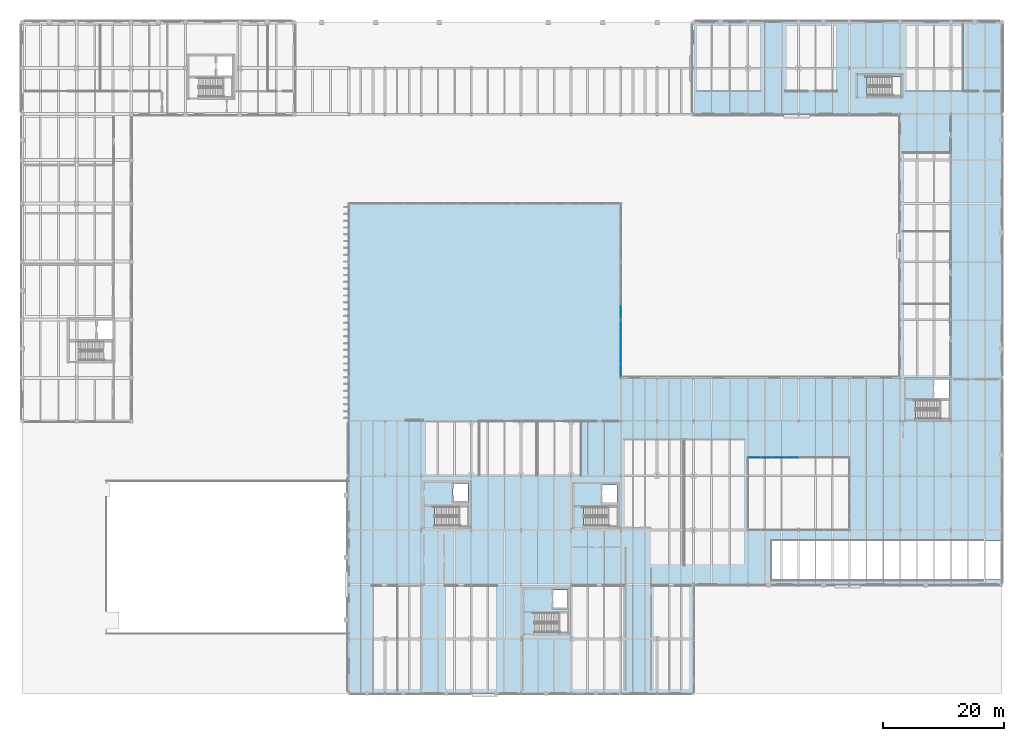
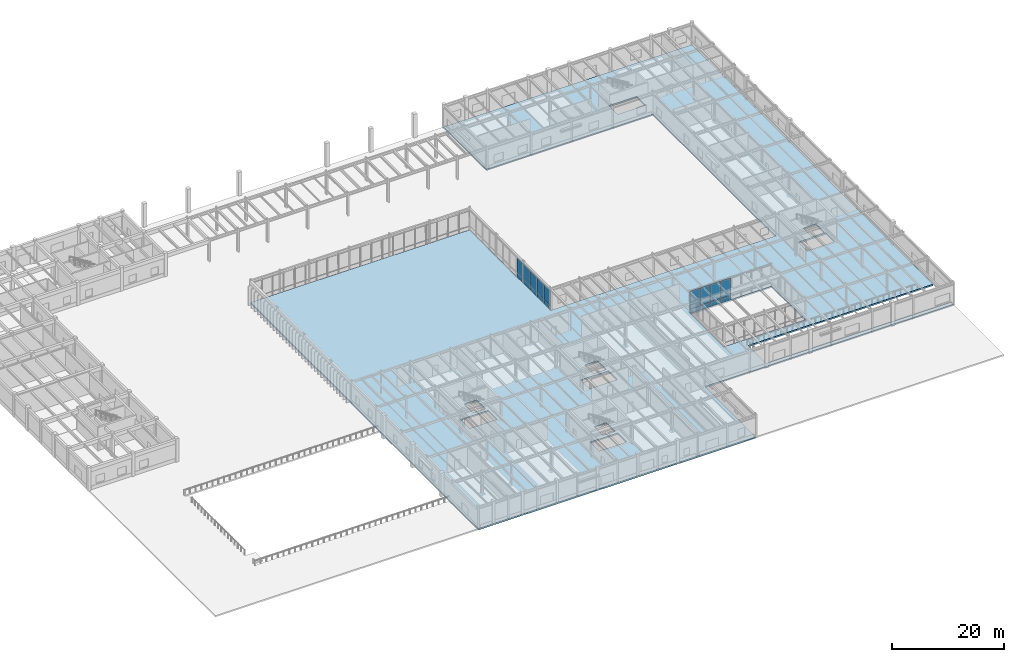
# One storey, part 34 of 64: 18 plates, 1 slab, 9 openings, 3 elements without a shape of their own.
"""IFC4 building model written with IfcOpenShell, lengths in metres."""

import ifcopenshell
import ifcopenshell.guid

model = None  # the IFC model being written
_history = None  # IfcOwnerHistory: only IFC2X3 demands one
_inside = {}  # id of a spatial element -> (the spatial element, [elements in it])
_under = {}  # id of a project, library or spatial element -> (it, [spatial elements below it])
_declared = {}  # id of a project -> (the project, [libraries it declares])
_typed = {}  # id of a type object -> (the type object, [elements of that type])
_made_of = {}  # id of a material, layer set ... -> (it, [elements and type objects made of it])


def new_model(schema):
    """Start an empty IFC model of exactly this schema.

    Asked for "IFC4X3", IfcOpenShell would pick the latest addendum, in which some entities
    have other attributes; the version numbers below select the first issue.
    IFC2X3 requires an IfcOwnerHistory on every rooted entity: one is made here for all.
    """
    global model, _history
    if schema == "IFC4X3":
        model = ifcopenshell.file(schema_version=(4, 3, 0, 0))
    else:
        model = ifcopenshell.file(schema=schema)
    _inside.clear()
    _under.clear()
    _declared.clear()
    _typed.clear()
    _made_of.clear()
    _history = None
    if model.schema == "IFC2X3":
        org = make("IfcOrganization", Name="unknown")
        user = make(
            "IfcPersonAndOrganization",
            ThePerson=make("IfcPerson", FamilyName="unknown"),
            TheOrganization=org,
        )
        app = make(
            "IfcApplication",
            ApplicationDeveloper=org,
            Version="unknown",
            ApplicationFullName="unknown",
            ApplicationIdentifier="unknown",
        )
        _history = make(
            "IfcOwnerHistory",
            OwningUser=user,
            OwningApplication=app,
            ChangeAction="ADDED",
            CreationDate=0,
        )
    return model


def make(cls, **values):
    """One entity of the class cls with the attributes given. An attribute that is None is left unset."""
    return model.create_entity(
        cls, **{name: value for name, value in values.items() if value is not None}
    )


def rooted(cls, **values):
    """An entity with a GlobalId (a new one), such as an element, a storey or a relation."""
    return make(cls, GlobalId=ifcopenshell.guid.new(), OwnerHistory=_history, **values)


def si_unit(unit_type, name, prefix=None):
    """IfcSIUnit, for example si_unit("LENGTHUNIT", "METRE", prefix="MILLI")."""
    return make("IfcSIUnit", UnitType=unit_type, Prefix=prefix, Name=name)


def assignment(units):
    """IfcUnitAssignment: the units of a project."""
    return None if units is None else make("IfcUnitAssignment", Units=units)


def point(xyz):
    """IfcCartesianPoint."""
    return None if xyz is None else make("IfcCartesianPoint", Coordinates=xyz)


def direction(xyz):
    """IfcDirection."""
    return None if xyz is None else make("IfcDirection", DirectionRatios=xyz)


def frame(location, z_axis=None, x_axis=None):
    """IfcAxis2Placement3D, a coordinate frame: its origin and axes. An axis left out is left unset."""
    return make(
        "IfcAxis2Placement3D",
        Location=point(location),
        Axis=direction(z_axis),
        RefDirection=direction(x_axis),
    )


def frame_2d(location, x_axis=None):
    """IfcAxis2Placement2D, a coordinate frame in the plane: its origin and x axis."""
    return make(
        "IfcAxis2Placement2D", Location=point(location), RefDirection=direction(x_axis)
    )


def origin():
    """The frame at (0, 0, 0) with its axes left unset."""
    return frame((0.0, 0.0, 0.0))


def origin_2d():
    """The frame at (0, 0) in the plane with its x axis left unset."""
    return frame_2d((0.0, 0.0))


def place(relative_to, where):
    """IfcLocalPlacement: puts the frame where relative to a parent placement (None: the world)."""
    return make(
        "IfcLocalPlacement", PlacementRelTo=relative_to, RelativePlacement=where
    )


def context(
    kind, dimensions, precision=None, world=None, true_north=None, identifier=None
):
    """IfcGeometricRepresentationContext, for example the 3D "Model" context."""
    return make(
        "IfcGeometricRepresentationContext",
        ContextIdentifier=identifier,
        ContextType=kind,
        CoordinateSpaceDimension=dimensions,
        Precision=precision,
        WorldCoordinateSystem=world,
        TrueNorth=true_north,
    )


def subcontext(parent, identifier, kind, view, scale=None):
    """IfcGeometricRepresentationSubContext, for example "Body" below "Model"."""
    return make(
        "IfcGeometricRepresentationSubContext",
        ContextIdentifier=identifier,
        ContextType=kind,
        ParentContext=parent,
        TargetScale=scale,
        TargetView=view,
    )


def project(units=None, contexts=None):
    """IfcProject with its units and contexts."""
    return rooted(
        "IfcProject",
        Name="project",
        RepresentationContexts=contexts,
        UnitsInContext=assignment(units),
    )


def spatial(cls, under=None, at=None, **own):
    """A site, building, storey or space (cls), placed at a placement, below another one or the project."""
    s = rooted(cls, ObjectPlacement=at, **own)
    if under is not None:
        _under.setdefault(under.id(), (under, []))[1].append(s)
    return s


def polyline(points):
    """IfcPolyline through the points."""
    return make("IfcPolyline", Points=[point(p) for p in points])


def profile(cls, at=None, kind="AREA", **sizes):
    """A parametric profile (cls). Its sizes go by their IFC names, for example OverallWidth=200.0."""
    return make(cls, ProfileType=kind, Position=at, **sizes)


def rectangle(**sizes):
    """IfcRectangleProfileDef."""
    return profile("IfcRectangleProfileDef", **sizes)


def outline(outer, holes=None, kind="AREA"):
    """IfcArbitraryClosedProfileDef: a profile drawn as a closed curve; with holes, ...WithVoids."""
    if holes is None:
        return make("IfcArbitraryClosedProfileDef", ProfileType=kind, OuterCurve=outer)
    return make(
        "IfcArbitraryProfileDefWithVoids",
        ProfileType=kind,
        OuterCurve=outer,
        InnerCurves=holes,
    )


def extrude(swept, where, along, depth):
    """IfcExtrudedAreaSolid: the profile swept, set in the frame where, extruded along a direction by depth."""
    return make(
        "IfcExtrudedAreaSolid",
        SweptArea=swept,
        Position=where,
        ExtrudedDirection=direction(along),
        Depth=depth,
    )


def shape(context_of_items, identifier, shape_type, items):
    """IfcShapeRepresentation: the items that make up one representation, for example the "Body"."""
    return make(
        "IfcShapeRepresentation",
        ContextOfItems=context_of_items,
        RepresentationIdentifier=identifier,
        RepresentationType=shape_type,
        Items=items,
    )


def material(Name=None, Category=None):
    """IfcMaterial."""
    return make("IfcMaterial", Name=Name, Category=Category)


def layer(
    of_material, thickness, ventilated=None, Name=None, Category=None, Priority=None
):
    """IfcMaterialLayer: one layer of a wall or slab, of a material (None: an air gap)."""
    return make(
        "IfcMaterialLayer",
        Material=of_material,
        LayerThickness=thickness,
        IsVentilated=ventilated,
        Name=Name,
        Category=Category,
        Priority=Priority,
    )


def layer_set(layers, Name=None):
    """IfcMaterialLayerSet."""
    return make("IfcMaterialLayerSet", MaterialLayers=layers, LayerSetName=Name)


def made_of(thing, what):
    """Note that an element or type object is made of a material, layer set ...; save() writes the relation."""
    if what is not None:
        _made_of.setdefault(what.id(), (what, []))[1].append(thing)
    return thing


def type_object(cls, material=None, **own):
    """A type object (cls), such as IfcWallType, which elements share."""
    return made_of(rooted(cls, **own), material)


def element(
    cls,
    number,
    at=None,
    inside=None,
    cuts=None,
    type_object=None,
    material=None,
    context=None,
    identifier="Body",
    shape_type=None,
    held_by="IfcProductDefinitionShape",
    body=None,
    shapes=None,
    **own,
):
    """One element of the class cls, such as IfcWall. Its Tag is "e" and its number.

    at: its placement. inside: the storey or other place that contains it. cuts: it is an
    opening in that element (IfcRelVoidsElement). A single representation is given by context,
    identifier, shape_type and body (its items); several are given by shapes. held_by: the class
    of the entity that holds the representations. save() writes the other relations.
    """
    e = rooted(cls, Tag="e%d" % number, ObjectPlacement=at, **own)
    if body is not None:
        shapes = [shape(context, identifier, shape_type, body)]
    if shapes is not None:
        e.Representation = make(held_by, Representations=shapes)
    if inside is not None:
        _inside.setdefault(inside.id(), (inside, []))[1].append(e)
    if cuts is not None:
        rooted(
            "IfcRelVoidsElement", RelatingBuildingElement=cuts, RelatedOpeningElement=e
        )
    if type_object is not None:
        _typed.setdefault(type_object.id(), (type_object, []))[1].append(e)
    return made_of(e, material)


def aggregate(whole, parts):
    """IfcRelAggregates: a whole, such as a stair, and the parts it consists of."""
    return rooted("IfcRelAggregates", RelatingObject=whole, RelatedObjects=parts)


def save(model, path):
    """Write the relations noted so far, then the file.

    IfcRelAggregates (storeys below a building ...), IfcRelContainedInSpatialStructure (elements
    in a storey), IfcRelDefinesByType, IfcRelAssociatesMaterial and IfcRelDeclares: one each for
    every whole, place, type object, material and project.
    """
    for whole, parts in _under.values():
        aggregate(whole, parts)
    for where, things in _inside.values():
        rooted(
            "IfcRelContainedInSpatialStructure",
            RelatedElements=things,
            RelatingStructure=where,
        )
    for kind, things in _typed.values():
        rooted("IfcRelDefinesByType", RelatedObjects=things, RelatingType=kind)
    for what, things in _made_of.values():
        rooted("IfcRelAssociatesMaterial", RelatedObjects=things, RelatingMaterial=what)
    for by, libraries in _declared.values():
        rooted("IfcRelDeclares", RelatingContext=by, RelatedDefinitions=libraries)
    model.write(path)


model = new_model("IFC4")

# Units and contexts
model_context = context("Model", 3, precision=1e-05, world=origin(), true_north=direction((0.0, 1.0)))
body_context = subcontext(model_context, "Body", "Model", "MODEL_VIEW")
ifc_project = project(units=[si_unit("LENGTHUNIT", "METRE"), si_unit("AREAUNIT", "SQUARE_METRE"), si_unit("VOLUMEUNIT", "CUBIC_METRE"), si_unit("PLANEANGLEUNIT", "RADIAN"), si_unit("MASSUNIT", "GRAM", prefix="KILO")], contexts=[model_context])

# Site, building, storey
site_placement = place(None, origin())
site = spatial("IfcSite", under=ifc_project, at=site_placement, CompositionType="ELEMENT")
building_placement = place(site_placement, origin())
building = spatial("IfcBuilding", under=site, at=building_placement, Name="Montealbar Specialist Clinic", CompositionType="ELEMENT")
storey_placement = place(building_placement, origin())
storey = spatial("IfcBuildingStorey", under=building, at=storey_placement, Name="L00", CompositionType="ELEMENT", Elevation=0.0)

# Curtain wall, plates
ifc_material_1 = material(Name="Low-E double glazing", Category="glass")
ifc_layer_1 = layer(ifc_material_1, 0.199951171875, Name="Low-E double glazing", Category="glass")
ifc_layer_set_1 = layer_set([ifc_layer_1], Name="Low-E double glazing")
curtain_wall_type_1 = type_object("IfcCurtainWallType", Name="CW-TYPE-06", PredefinedType="NOTDEFINED", material=ifc_layer_set_1)
curtain_wall_1_placement = place(storey_placement, origin())
curtain_wall_1 = element("IfcCurtainWall", 1, at=curtain_wall_1_placement, inside=storey, type_object=curtain_wall_type_1, Name="Unitised Curtain Wall CW-L00-1284-390-1200-390-0", PredefinedType="NOTDEFINED")
ifc_layer_2 = layer(ifc_material_1, 0.028076171875, Name="Low-E double glazing", Category="glass")
ifc_layer_set_2 = layer_set([ifc_layer_2], Name="Low-E double glazing")
plate_type_1 = type_object("IfcPlateType", Name="CW-PNL-IGU28", PredefinedType="CURTAIN_PANEL", material=ifc_layer_set_2)
plate_1_placement = place(storey_placement, frame((127.35009765625, 39.0, 0.070068359375), z_axis=(0.0, 0.0, 1.0), x_axis=(-1.0, 0.0, 0.0)))
plate_1 = element("IfcPlate", 2, at=plate_1_placement, type_object=plate_type_1, Name="Glazed Curtain Panel CW-L00-1284-390-1200-390-0-1-1", PredefinedType="CURTAIN_PANEL", context=body_context, shape_type="SweptSolid", body=[
    extrude(rectangle(XDim=2.00390625, YDim=0.028076171875, at=origin_2d()), origin(), (0.0, 0.0, 1.0), 0.85009765625),
])
plate_2_placement = place(storey_placement, frame((127.35009765625, 39.0, 0.97998046875), z_axis=(0.0, 0.0, 1.0), x_axis=(-1.0, 0.0, 0.0)))
plate_2 = element("IfcPlate", 3, at=plate_2_placement, type_object=plate_type_1, Name="Glazed Curtain Panel CW-L00-1284-390-1200-390-0-1-2", PredefinedType="CURTAIN_PANEL", context=body_context, shape_type="SweptSolid", body=[
    extrude(rectangle(XDim=2.00390625, YDim=0.028076171875, at=origin_2d()), origin(), (0.0, 0.0, 1.0), 3.77001953125),
])
plate_3_placement = place(storey_placement, frame((125.25, 39.0, 0.070068359375), z_axis=(0.0, 0.0, 1.0), x_axis=(-1.0, 0.0, 0.0)))
plate_3 = element("IfcPlate", 4, at=plate_3_placement, type_object=plate_type_1, Name="Glazed Curtain Panel CW-L00-1284-390-1200-390-0-2-1", PredefinedType="CURTAIN_PANEL", context=body_context, shape_type="SweptSolid", body=[
    extrude(rectangle(XDim=2.00390625, YDim=0.028076171875, at=origin_2d()), origin(), (0.0, 0.0, 1.0), 0.85009765625),
])
plate_4_placement = place(storey_placement, frame((125.25, 39.0, 0.97998046875), z_axis=(0.0, 0.0, 1.0), x_axis=(-1.0, 0.0, 0.0)))
plate_4 = element("IfcPlate", 5, at=plate_4_placement, type_object=plate_type_1, Name="Glazed Curtain Panel CW-L00-1284-390-1200-390-0-2-2", PredefinedType="CURTAIN_PANEL", context=body_context, shape_type="SweptSolid", body=[
    extrude(rectangle(XDim=2.00390625, YDim=0.028076171875, at=origin_2d()), origin(), (0.0, 0.0, 1.0), 3.77001953125),
])
plate_5_placement = place(storey_placement, frame((123.14990234375, 39.0, 0.070068359375), z_axis=(0.0, 0.0, 1.0), x_axis=(-1.0, 0.0, 0.0)))
plate_5 = element("IfcPlate", 6, at=plate_5_placement, type_object=plate_type_1, Name="Glazed Curtain Panel CW-L00-1284-390-1200-390-0-3-1", PredefinedType="CURTAIN_PANEL", context=body_context, shape_type="SweptSolid", body=[
    extrude(rectangle(XDim=2.00390625, YDim=0.028076171875, at=origin_2d()), origin(), (0.0, 0.0, 1.0), 0.85009765625),
])
plate_6_placement = place(storey_placement, frame((123.14990234375, 39.0, 0.97998046875), z_axis=(0.0, 0.0, 1.0), x_axis=(-1.0, 0.0, 0.0)))
plate_6 = element("IfcPlate", 7, at=plate_6_placement, type_object=plate_type_1, Name="Glazed Curtain Panel CW-L00-1284-390-1200-390-0-3-2", PredefinedType="CURTAIN_PANEL", context=body_context, shape_type="SweptSolid", body=[
    extrude(rectangle(XDim=2.00390625, YDim=0.028076171875, at=origin_2d()), origin(), (0.0, 0.0, 1.0), 3.77001953125),
])
plate_7_placement = place(storey_placement, frame((121.050048828125, 39.0, 0.070068359375), z_axis=(0.0, 0.0, 1.0), x_axis=(-1.0, 0.0, 0.0)))
plate_7 = element("IfcPlate", 8, at=plate_7_placement, type_object=plate_type_1, Name="Glazed Curtain Panel CW-L00-1284-390-1200-390-0-4-1", PredefinedType="CURTAIN_PANEL", context=body_context, shape_type="SweptSolid", body=[
    extrude(rectangle(XDim=2.00390625, YDim=0.028076171875, at=origin_2d()), origin(), (0.0, 0.0, 1.0), 0.85009765625),
])
plate_8_placement = place(storey_placement, frame((121.050048828125, 39.0, 0.97998046875), z_axis=(0.0, 0.0, 1.0), x_axis=(-1.0, 0.0, 0.0)))
plate_8 = element("IfcPlate", 9, at=plate_8_placement, type_object=plate_type_1, Name="Glazed Curtain Panel CW-L00-1284-390-1200-390-0-4-2", PredefinedType="CURTAIN_PANEL", context=body_context, shape_type="SweptSolid", body=[
    extrude(rectangle(XDim=2.00390625, YDim=0.028076171875, at=origin_2d()), origin(), (0.0, 0.0, 1.0), 3.77001953125),
])
aggregate(curtain_wall_1, [plate_1, plate_2, plate_3, plate_4, plate_5, plate_6, plate_7, plate_8])

ifc_layer_3 = layer(ifc_material_1, 0.199951171875, Name="Low-E double glazing", Category="glass")
ifc_layer_set_3 = layer_set([ifc_layer_3], Name="Low-E double glazing")
curtain_wall_type_2 = type_object("IfcCurtainWallType", Name="CW-TYPE-03", PredefinedType="NOTDEFINED", material=ifc_layer_set_3)
curtain_wall_2_placement = place(storey_placement, origin())
curtain_wall_2 = element("IfcCurtainWall", 10, at=curtain_wall_2_placement, inside=storey, type_object=curtain_wall_type_2, Name="Unitised Curtain Wall CW-L00-990-714-990-618-0", PredefinedType="NOTDEFINED")
ifc_layer_4 = layer(ifc_material_1, 0.048095703125, Name="Low-E double glazing", Category="glass")
ifc_layer_set_4 = layer_set([ifc_layer_4], Name="Low-E double glazing")
plate_type_2 = type_object("IfcPlateType", Name="CW-PNL-IGU48", PredefinedType="CURTAIN_PANEL", material=ifc_layer_set_4)
plate_9_placement = place(storey_placement, frame((99.0, 63.0, 0.070068359375), z_axis=(0.0, 0.0, 1.0), x_axis=(0.0, -1.0, 0.0)))
plate_9 = element("IfcPlate", 11, at=plate_9_placement, type_object=plate_type_2, Name="Glazed Curtain Panel CW-L00-990-714-990-618-0-4-1", PredefinedType="CURTAIN_PANEL", context=body_context, shape_type="SweptSolid", body=[
    extrude(rectangle(XDim=2.303955078125, YDim=0.048095703125, at=origin_2d()), origin(), (0.0, 0.0, 1.0), 0.85009765625),
])
plate_10_placement = place(storey_placement, frame((99.0, 63.0, 0.97998046875), z_axis=(0.0, 0.0, 1.0), x_axis=(0.0, -1.0, 0.0)))
plate_10 = element("IfcPlate", 12, at=plate_10_placement, type_object=plate_type_2, Name="Glazed Curtain Panel CW-L00-990-714-990-618-0-4-2", PredefinedType="CURTAIN_PANEL", context=body_context, shape_type="SweptSolid", body=[
    extrude(rectangle(XDim=2.303955078125, YDim=0.048095703125, at=origin_2d()), origin(), (0.0, 0.0, 1.0), 3.260009765625),
])
aggregate(curtain_wall_2, [plate_9, plate_10])

curtain_wall_3_placement = place(storey_placement, origin())
curtain_wall_3 = element("IfcCurtainWall", 13, at=curtain_wall_3_placement, inside=storey, type_object=curtain_wall_type_2, Name="Unitised Curtain Wall CW-L00-990-618-990-522-0", PredefinedType="NOTDEFINED")
plate_11_placement = place(storey_placement, frame((99.0, 60.60009765625, 0.070068359375), z_axis=(0.0, 0.0, 1.0), x_axis=(0.0, -1.0, 0.0)))
plate_11 = element("IfcPlate", 14, at=plate_11_placement, type_object=plate_type_2, Name="Glazed Curtain Panel CW-L00-990-618-990-522-0-1-1", PredefinedType="CURTAIN_PANEL", context=body_context, shape_type="SweptSolid", body=[
    extrude(rectangle(XDim=2.303955078125, YDim=0.048095703125, at=origin_2d()), origin(), (0.0, 0.0, 1.0), 0.85009765625),
])
plate_12_placement = place(storey_placement, frame((99.0, 60.60009765625, 0.97998046875), z_axis=(0.0, 0.0, 1.0), x_axis=(0.0, -1.0, 0.0)))
plate_12 = element("IfcPlate", 15, at=plate_12_placement, type_object=plate_type_2, Name="Glazed Curtain Panel CW-L00-990-618-990-522-0-1-2", PredefinedType="CURTAIN_PANEL", context=body_context, shape_type="SweptSolid", body=[
    extrude(rectangle(XDim=2.303955078125, YDim=0.048095703125, at=origin_2d()), origin(), (0.0, 0.0, 1.0), 3.260009765625),
])
plate_13_placement = place(storey_placement, frame((99.0, 58.199951171875, 0.070068359375), z_axis=(0.0, 0.0, 1.0), x_axis=(0.0, -1.0, 0.0)))
plate_13 = element("IfcPlate", 16, at=plate_13_placement, type_object=plate_type_2, Name="Glazed Curtain Panel CW-L00-990-618-990-522-0-2-1", PredefinedType="CURTAIN_PANEL", context=body_context, shape_type="SweptSolid", body=[
    extrude(rectangle(XDim=2.303955078125, YDim=0.048095703125, at=origin_2d()), origin(), (0.0, 0.0, 1.0), 0.85009765625),
])
plate_14_placement = place(storey_placement, frame((99.0, 58.199951171875, 0.97998046875), z_axis=(0.0, 0.0, 1.0), x_axis=(0.0, -1.0, 0.0)))
plate_14 = element("IfcPlate", 17, at=plate_14_placement, type_object=plate_type_2, Name="Glazed Curtain Panel CW-L00-990-618-990-522-0-2-2", PredefinedType="CURTAIN_PANEL", context=body_context, shape_type="SweptSolid", body=[
    extrude(rectangle(XDim=2.303955078125, YDim=0.048095703125, at=origin_2d()), origin(), (0.0, 0.0, 1.0), 3.260009765625),
])
plate_15_placement = place(storey_placement, frame((99.0, 55.800048828125, 0.070068359375), z_axis=(0.0, 0.0, 1.0), x_axis=(0.0, -1.0, 0.0)))
plate_15 = element("IfcPlate", 18, at=plate_15_placement, type_object=plate_type_2, Name="Glazed Curtain Panel CW-L00-990-618-990-522-0-3-1", PredefinedType="CURTAIN_PANEL", context=body_context, shape_type="SweptSolid", body=[
    extrude(rectangle(XDim=2.303955078125, YDim=0.048095703125, at=origin_2d()), origin(), (0.0, 0.0, 1.0), 0.85009765625),
])
plate_16_placement = place(storey_placement, frame((99.0, 55.800048828125, 0.97998046875), z_axis=(0.0, 0.0, 1.0), x_axis=(0.0, -1.0, 0.0)))
plate_16 = element("IfcPlate", 19, at=plate_16_placement, type_object=plate_type_2, Name="Glazed Curtain Panel CW-L00-990-618-990-522-0-3-2", PredefinedType="CURTAIN_PANEL", context=body_context, shape_type="SweptSolid", body=[
    extrude(rectangle(XDim=2.303955078125, YDim=0.048095703125, at=origin_2d()), origin(), (0.0, 0.0, 1.0), 3.260009765625),
])
plate_17_placement = place(storey_placement, frame((99.0, 53.39990234375, 0.070068359375), z_axis=(0.0, 0.0, 1.0), x_axis=(0.0, -1.0, 0.0)))
plate_17 = element("IfcPlate", 20, at=plate_17_placement, type_object=plate_type_2, Name="Glazed Curtain Panel CW-L00-990-618-990-522-0-4-1", PredefinedType="CURTAIN_PANEL", context=body_context, shape_type="SweptSolid", body=[
    extrude(rectangle(XDim=2.303955078125, YDim=0.048095703125, at=origin_2d()), origin(), (0.0, 0.0, 1.0), 0.85009765625),
])
plate_18_placement = place(storey_placement, frame((99.0, 53.39990234375, 0.97998046875), z_axis=(0.0, 0.0, 1.0), x_axis=(0.0, -1.0, 0.0)))
plate_18 = element("IfcPlate", 21, at=plate_18_placement, type_object=plate_type_2, Name="Glazed Curtain Panel CW-L00-990-618-990-522-0-4-2", PredefinedType="CURTAIN_PANEL", context=body_context, shape_type="SweptSolid", body=[
    extrude(rectangle(XDim=2.303955078125, YDim=0.048095703125, at=origin_2d()), origin(), (0.0, 0.0, 1.0), 3.260009765625),
])
aggregate(curtain_wall_3, [plate_11, plate_12, plate_13, plate_14, plate_15, plate_16, plate_17, plate_18])

# Slab, openings
ifc_material_2 = material(Name="Concrete C35/45", Category="concrete")
ifc_layer_5 = layer(ifc_material_2, 0.320068359375, Name="Concrete C35/45", Category="concrete")
ifc_layer_set_5 = layer_set([ifc_layer_5], Name="Concrete C35/45")
slab_type = type_object("IfcSlabType", Name="SL-FLR-280", PredefinedType="FLOOR", material=ifc_layer_set_5)
slab_placement = place(storey_placement, frame((0.0, 0.0, -0.320068359375)))
slab = element("IfcSlab", 22, at=slab_placement, inside=storey, type_object=slab_type, Name="Structural Slab L00 Wing 1", PredefinedType="FLOOR", context=body_context, shape_type="SweptSolid", body=[
    extrude(outline(polyline([(54.0, 0.0), (54.0, 81.0), (99.0, 81.0), (99.0, 52.199951171875), (145.199951171875, 52.199951171875), (145.199951171875, 95.800048828125), (111.0, 95.800048828125), (111.0, 111.0), (162.0, 111.0), (162.0, 25.199951171875), (124.0, 25.199951171875), (124.0, 18.800048828125), (162.0, 18.800048828125), (162.0, 18.0), (111.0, 18.0), (111.0, 0.0), (54.0, 0.0)]), holes=[polyline([(120.0, 27.0), (136.800048828125, 27.0), (136.800048828125, 39.0), (120.0, 39.0), (120.0, 27.0)]), polyline([(84.699951171875, 13.300048828125), (84.699951171875, 10.10009765625), (90.35009765625, 10.10009765625), (90.35009765625, 13.300048828125), (84.699951171875, 13.300048828125)]), polyline([(73.85009765625, 30.89990234375), (68.199951171875, 30.89990234375), (68.199951171875, 27.699951171875), (73.85009765625, 27.699951171875), (73.85009765625, 30.89990234375)]), polyline([(73.701904296875, 34.701904296875), (71.197998046875, 34.701904296875), (71.197998046875, 31.597900390625), (73.701904296875, 31.597900390625), (73.701904296875, 34.701904296875)]), polyline([(87.697998046875, 17.10205078125), (87.697998046875, 13.998046875), (90.201904296875, 13.998046875), (90.201904296875, 17.10205078125), (87.697998046875, 17.10205078125)]), polyline([(98.550048828125, 30.800048828125), (92.85009765625, 30.800048828125), (92.85009765625, 27.699951171875), (98.550048828125, 27.699951171875), (98.550048828125, 30.800048828125)]), polyline([(98.402099609375, 34.501953125), (95.798095703125, 34.501953125), (95.798095703125, 31.39794921875), (98.402099609375, 31.39794921875), (98.402099609375, 34.501953125)]), polyline([(153.449951171875, 48.5), (147.75, 48.5), (147.75, 45.39990234375), (153.449951171875, 45.39990234375), (153.449951171875, 48.5)]), polyline([(153.302001953125, 51.802001953125), (150.697998046875, 51.802001953125), (150.697998046875, 48.798095703125), (153.302001953125, 48.798095703125), (153.302001953125, 51.802001953125)]), polyline([(145.449951171875, 102.0), (139.75, 102.0), (139.75, 98.89990234375), (145.449951171875, 98.89990234375), (145.449951171875, 102.0)])]), origin(), (0.0, 0.0, 1.0), 0.320068359375),
])
opening_1_placement = place(slab_placement, frame((71.02490234375, 29.2998046875, -0.010009765625)))
element("IfcOpeningElement", 23, at=opening_1_placement, cuts=slab, Name="Opening STAIRVOID-C3-L00-1", PredefinedType="OPENING", context=body_context, shape_type="SweptSolid", body=[
    extrude(rectangle(XDim=5.646240234375, YDim=3.196044921875, at=origin_2d()), origin(), (0.0, 0.0, 1.0), 0.340087890625),
])
opening_2_placement = place(slab_placement, frame((72.449951171875, 33.14990234375, -0.010009765625)))
element("IfcOpeningElement", 24, at=opening_2_placement, cuts=slab, Name="Opening LIFTSHAFT-FL-01-L00", PredefinedType="OPENING", context=body_context, shape_type="SweptSolid", body=[
    extrude(rectangle(XDim=2.5, YDim=3.10009765625, at=origin_2d()), origin(), (0.0, 0.0, 1.0), 0.340087890625),
])
opening_3_placement = place(slab_placement, frame((87.52490234375, 11.7001953125, -0.010009765625)))
element("IfcOpeningElement", 25, at=opening_3_placement, cuts=slab, Name="Opening STAIRVOID-C4-L00-1", PredefinedType="OPENING", context=body_context, shape_type="SweptSolid", body=[
    extrude(rectangle(XDim=5.646240234375, YDim=3.196044921875, at=origin_2d()), origin(), (0.0, 0.0, 1.0), 0.340087890625),
])
opening_4_placement = place(slab_placement, frame((88.949951171875, 15.550048828125, -0.010009765625)))
element("IfcOpeningElement", 26, at=opening_4_placement, cuts=slab, Name="Opening LIFTSHAFT-FL-02-L00", PredefinedType="OPENING", context=body_context, shape_type="SweptSolid", body=[
    extrude(rectangle(XDim=2.5, YDim=3.10009765625, at=origin_2d()), origin(), (0.0, 0.0, 1.0), 0.340087890625),
])
opening_5_placement = place(slab_placement, frame((95.7001953125, 29.25, -0.010009765625)))
element("IfcOpeningElement", 27, at=opening_5_placement, cuts=slab, Name="Opening STAIRVOID-C5-L00-1", PredefinedType="OPENING", context=body_context, shape_type="SweptSolid", body=[
    extrude(rectangle(XDim=5.696044921875, YDim=3.09619140625, at=origin_2d()), origin(), (0.0, 0.0, 1.0), 0.340087890625),
])
opening_6_placement = place(slab_placement, frame((97.10009765625, 32.949951171875, -0.010009765625)))
element("IfcOpeningElement", 28, at=opening_6_placement, cuts=slab, Name="Opening LIFTSHAFT-LF-03-L00", PredefinedType="OPENING", context=body_context, shape_type="SweptSolid", body=[
    extrude(rectangle(XDim=2.60009765625, YDim=3.10009765625, at=origin_2d()), origin(), (0.0, 0.0, 1.0), 0.340087890625),
])
opening_7_placement = place(slab_placement, frame((150.60009765625, 46.949951171875, -0.010009765625)))
element("IfcOpeningElement", 29, at=opening_7_placement, cuts=slab, Name="Opening STAIRVOID-C6-L00-1", PredefinedType="OPENING", context=body_context, shape_type="SweptSolid", body=[
    extrude(rectangle(XDim=5.696044921875, YDim=3.09619140625, at=origin_2d()), origin(), (0.0, 0.0, 1.0), 0.340087890625),
])
opening_8_placement = place(slab_placement, frame((152.0, 50.300048828125, -0.010009765625)))
element("IfcOpeningElement", 30, at=opening_8_placement, cuts=slab, Name="Opening LIFTSHAFT-LF-04-L00", PredefinedType="OPENING", context=body_context, shape_type="SweptSolid", body=[
    extrude(rectangle(XDim=2.60009765625, YDim=3.0, at=origin_2d()), origin(), (0.0, 0.0, 1.0), 0.340087890625),
])
opening_9_placement = place(slab_placement, frame((142.60009765625, 100.449951171875, -0.010009765625)))
element("IfcOpeningElement", 31, at=opening_9_placement, cuts=slab, Name="Opening STAIRVOID-C7-L00-1", PredefinedType="OPENING", context=body_context, shape_type="SweptSolid", body=[
    extrude(rectangle(XDim=5.696044921875, YDim=3.09619140625, at=origin_2d()), origin(), (0.0, 0.0, 1.0), 0.340087890625),
])

save(model, "model.ifc")
